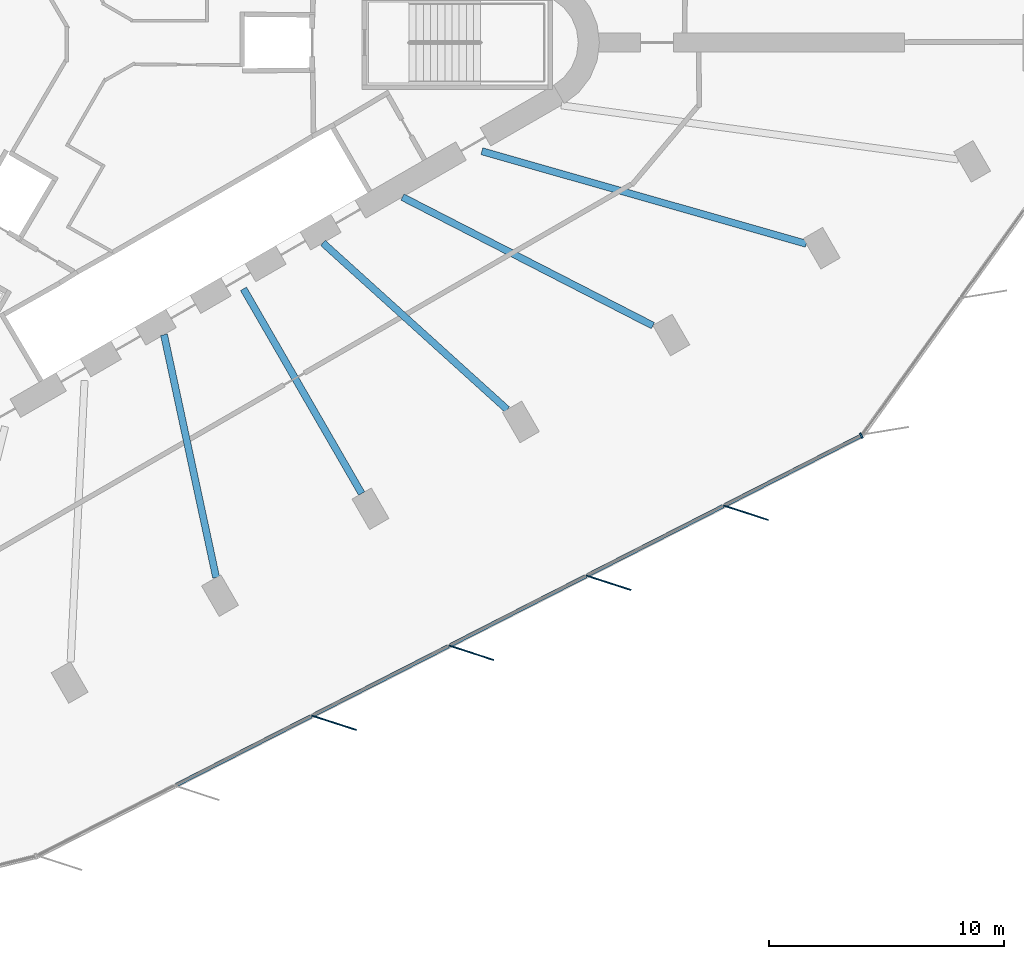
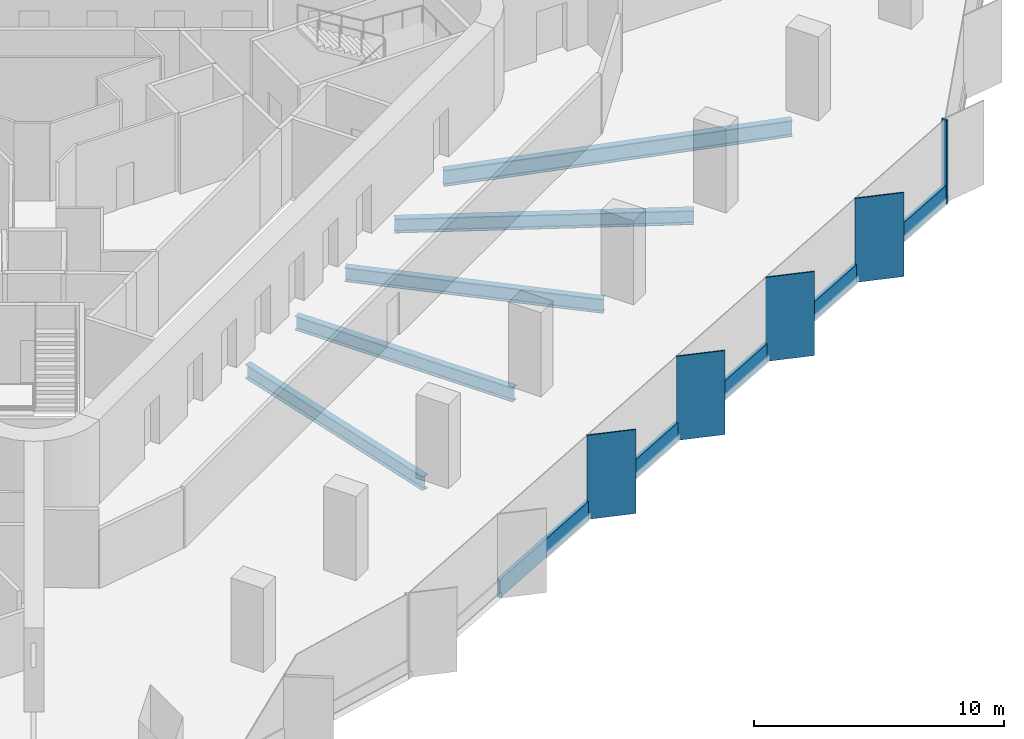
# One storey, part 3 of 14: 10 members, 5 beams, 1 element without a shape of its own.
"""IFC4 building model written with IfcOpenShell, lengths in metres."""

from ifc_helpers import new_model, si_unit, direction, frame, origin, origin_2d, place, context, subcontext, project, spatial, rectangle, i_section, extrude, material, material_profile, profile_set, type_object, element, aggregate, save


model = new_model("IFC4")

# Units and contexts
model_context = context("Model", 3, precision=1e-05, world=origin(), true_north=direction((0.0, 1.0)))
body_context = subcontext(model_context, "Body", "Model", "MODEL_VIEW")
ifc_project = project(units=[si_unit("LENGTHUNIT", "METRE"), si_unit("AREAUNIT", "SQUARE_METRE"), si_unit("VOLUMEUNIT", "CUBIC_METRE"), si_unit("PLANEANGLEUNIT", "RADIAN"), si_unit("MASSUNIT", "GRAM", prefix="KILO")], contexts=[model_context])

# Site, building, storey
site_placement = place(None, origin())
site = spatial("IfcSite", under=ifc_project, at=site_placement, CompositionType="ELEMENT")
building_placement = place(site_placement, origin())
building = spatial("IfcBuilding", under=site, at=building_placement, Name="Tanit Gate Tower", CompositionType="ELEMENT")
storey_placement = place(building_placement, frame((0.0, 0.0, 115.199951171875)))
storey = spatial("IfcBuildingStorey", under=building, at=storey_placement, Name="L24", CompositionType="ELEMENT", Elevation=115.199951171875)

# Curtain wall, members
ifc_material_1 = material(Name="Aluminium bronze anodised and glass", Category="aluminium")
curtain_wall_type = type_object("IfcCurtainWallType", Name="Curtain wall typical low", PredefinedType="NOTDEFINED", material=ifc_material_1)
curtain_wall_placement = place(storey_placement, origin())
curtain_wall = element("IfcCurtainWall", 1, at=curtain_wall_placement, inside=storey, type_object=curtain_wall_type, Name="Curtain wall L24 SE2", PredefinedType="NOTDEFINED")
ifc_material_2 = material(Name="Aluminium bronze anodised", Category="aluminium")
ifc_material_profile_1 = material_profile(ifc_material_2, rectangle(XDim=2.0, YDim=0.055908203125, at=origin_2d()), Name="56x2000 bronze fin mullion")
ifc_profile_set_1 = profile_set([ifc_material_profile_1], Name="Aluminium bronze anodised")
member_type_1 = type_object("IfcMemberType", Name="FIN MULLION 56x2000 bronze", PredefinedType="MULLION", material=ifc_profile_set_1)
member_1_placement = place(storey_placement, frame((9.904052734375, -28.94580078125, -0.300048828125), z_axis=(0.0, 0.0, 1.0), x_axis=(-0.95115950718, 0.308699841109, 0.0)))
member_1 = element("IfcMember", 2, at=member_1_placement, type_object=member_type_1, Name="Fin mullion L24 SE2.3", PredefinedType="MULLION", context=body_context, shape_type="SweptSolid", body=[
    extrude(rectangle(XDim=2.0, YDim=0.055908203125, at=origin_2d()), origin(), (0.0, 0.0, 1.0), 4.10009765625),
])
member_2_placement = place(storey_placement, frame((15.745849609375, -25.966796875, -0.300048828125), z_axis=(0.0, 0.0, 1.0), x_axis=(-0.95115950718, 0.308699841109, 0.0)))
member_2 = element("IfcMember", 3, at=member_2_placement, type_object=member_type_1, Name="Fin mullion L24 SE2.4", PredefinedType="MULLION", context=body_context, shape_type="SweptSolid", body=[
    extrude(rectangle(XDim=2.0, YDim=0.055908203125, at=origin_2d()), origin(), (0.0, 0.0, 1.0), 4.10009765625),
])
member_3_placement = place(storey_placement, frame((21.587890625, -22.98779296875, -0.300048828125), z_axis=(0.0, 0.0, 1.0), x_axis=(-0.95115950718, 0.308699841109, 0.0)))
member_3 = element("IfcMember", 4, at=member_3_placement, type_object=member_type_1, Name="Fin mullion L24 SE2.5", PredefinedType="MULLION", context=body_context, shape_type="SweptSolid", body=[
    extrude(rectangle(XDim=2.0, YDim=0.055908203125, at=origin_2d()), origin(), (0.0, 0.0, 1.0), 4.10009765625),
])
member_4_placement = place(storey_placement, frame((27.429931640625, -20.008544921875, -0.300048828125), z_axis=(0.0, 0.0, 1.0), x_axis=(-0.95115950718, 0.308699841109, 0.0)))
member_4 = element("IfcMember", 5, at=member_4_placement, type_object=member_type_1, Name="Fin mullion L24 SE2.6", PredefinedType="MULLION", context=body_context, shape_type="SweptSolid", body=[
    extrude(rectangle(XDim=2.0, YDim=0.055908203125, at=origin_2d()), origin(), (0.0, 0.0, 1.0), 4.10009765625),
])
ifc_material_3 = material(Name="Aluminium bronze anodised", Category="aluminium")
ifc_material_profile_2 = material_profile(ifc_material_3, rectangle(XDim=0.239990234375, YDim=0.080078125, at=origin_2d()), Name="80x240 bronze mullion")
ifc_profile_set_2 = profile_set([ifc_material_profile_2], Name="Aluminium bronze anodised")
member_type_2 = type_object("IfcMemberType", Name="Mullion 80x240 typical low", PredefinedType="MULLION", material=ifc_profile_set_2)
member_5_placement = place(storey_placement, frame((32.34228515625, -16.727783203125, -0.300048828125), z_axis=(0.0, 0.0, 1.0), x_axis=(-0.454287586518, 0.890855088516, 0.0)))
member_5 = element("IfcMember", 6, at=member_5_placement, type_object=member_type_2, Name="Mullion L24 SE2.7", PredefinedType="MULLION", context=body_context, shape_type="SweptSolid", body=[
    extrude(rectangle(XDim=0.239990234375, YDim=0.080078125, at=origin_2d()), origin(), (0.0, 0.0, 1.0), 4.10009765625),
])

# Beams
ifc_material_4 = material(Name="Steel S355", Category="steel")
ifc_material_profile_3 = material_profile(ifc_material_4, i_section(OverallWidth=0.300048828125, OverallDepth=0.68994140625, WebThickness=0.014404296875, FlangeThickness=0.027099609375, FilletRadius=0.027099609375, at=origin_2d()), Name="HEA 700")
ifc_profile_set_3 = profile_set([ifc_material_profile_3], Name="Steel S355")
beam_type_1 = type_object("IfcBeamType", Name="RADIAL GIRDER HEA 700 S355", PredefinedType="BEAM", material=ifc_profile_set_3)
beam_1_placement = place(storey_placement, frame((4.887939453125, -22.764892578125, -0.64501953125), z_axis=(-0.209940874713, 0.977714083526, 0.0), x_axis=(-0.977714083526, -0.209940874713, 0.0)))
element("IfcBeam", 7, at=beam_1_placement, inside=storey, type_object=beam_type_1, Name="RADIAL GIRDER", PredefinedType="BEAM", context=body_context, shape_type="SweptSolid", body=[
    extrude(i_section(OverallWidth=0.300048828125, OverallDepth=0.68994140625, WebThickness=0.014404296875, FlangeThickness=0.027099609375, FilletRadius=0.027099609375, at=origin_2d()), origin(), (0.0, 0.0, 1.0), 10.5673828125),
])
beam_2_placement = place(storey_placement, frame((11.07958984375, -19.190185546875, -0.64501953125), z_axis=(-0.500011042411, 0.866019028352, 0.0), x_axis=(-0.866019028352, -0.500011042411, 0.0)))
element("IfcBeam", 8, at=beam_2_placement, inside=storey, type_object=beam_type_1, Name="RADIAL GIRDER", PredefinedType="BEAM", context=body_context, shape_type="SweptSolid", body=[
    extrude(i_section(OverallWidth=0.300048828125, OverallDepth=0.68994140625, WebThickness=0.014404296875, FlangeThickness=0.027099609375, FilletRadius=0.027099609375, at=origin_2d()), origin(), (0.0, 0.0, 1.0), 10.056884765625),
])
beam_3_placement = place(storey_placement, frame((17.27099609375, -15.615478515625, -0.64501953125), z_axis=(-0.741757410194, 0.670668281957, 0.0), x_axis=(-0.670668281957, -0.741757410194, 0.0)))
element("IfcBeam", 9, at=beam_3_placement, inside=storey, type_object=beam_type_1, Name="RADIAL GIRDER", PredefinedType="BEAM", context=body_context, shape_type="SweptSolid", body=[
    extrude(i_section(OverallWidth=0.300048828125, OverallDepth=0.68994140625, WebThickness=0.014404296875, FlangeThickness=0.027099609375, FilletRadius=0.027099609375, at=origin_2d()), origin(), (0.0, 0.0, 1.0), 10.5673828125),
])
beam_4_placement = place(storey_placement, frame((23.4775390625, -12.04833984375, -0.64501953125), z_axis=(-0.889684882484, 0.456575086792, 0.0), x_axis=(-0.456575086792, -0.889684882484, 0.0)))
element("IfcBeam", 10, at=beam_4_placement, inside=storey, type_object=beam_type_1, Name="RADIAL GIRDER", PredefinedType="BEAM", context=body_context, shape_type="SweptSolid", body=[
    extrude(i_section(OverallWidth=0.300048828125, OverallDepth=0.68994140625, WebThickness=0.014404296875, FlangeThickness=0.027099609375, FilletRadius=0.027099609375, at=origin_2d()), origin(), (0.0, 0.0, 1.0), 11.98583984375),
])
ifc_material_5 = material(Name="Steel S355", Category="steel")
ifc_material_profile_4 = material_profile(ifc_material_5, i_section(OverallWidth=0.300048828125, OverallDepth=0.7900390625, WebThickness=0.014892578125, FlangeThickness=0.028076171875, FilletRadius=0.030029296875, at=origin_2d()), Name="HEA 800")
ifc_profile_set_4 = profile_set([ifc_material_profile_4], Name="Steel S355")
beam_type_2 = type_object("IfcBeamType", Name="RADIAL GIRDER HEA 800 S355", PredefinedType="BEAM", material=ifc_profile_set_4)
beam_5_placement = place(storey_placement, frame((30.00146484375, -8.565185546875, -0.695068359375), z_axis=(-0.96158167718, 0.274518994083, 0.0), x_axis=(-0.274518994083, -0.96158167718, 0.0)))
element("IfcBeam", 11, at=beam_5_placement, inside=storey, type_object=beam_type_2, Name="RADIAL GIRDER", PredefinedType="BEAM", context=body_context, shape_type="SweptSolid", body=[
    extrude(i_section(OverallWidth=0.300048828125, OverallDepth=0.7900390625, WebThickness=0.014892578125, FlangeThickness=0.028076171875, FilletRadius=0.030029296875, at=origin_2d()), origin(), (0.0, 0.0, 1.0), 14.357421875),
])

# Member
ifc_material_6 = material(Name="Aluminium bronze anodised", Category="aluminium")
ifc_material_profile_5 = material_profile(ifc_material_6, rectangle(XDim=0.159912109375, YDim=0.89990234375, at=origin_2d()), Name="160x900 bronze transom")
ifc_profile_set_5 = profile_set([ifc_material_profile_5], Name="Aluminium bronze anodised")
member_type_3 = type_object("IfcMemberType", Name="Transom 160x900 typical low", PredefinedType="USERDEFINED", material=ifc_profile_set_5)
member_6_placement = place(storey_placement, frame((3.16796875, -31.60498046875, 0.150146484375), z_axis=(0.890863979718, 0.454270150507, 0.0), x_axis=(-0.454270150507, 0.890863979718, 0.0)))
member_6 = element("IfcMember", 12, at=member_6_placement, type_object=member_type_3, Name="Transom L24 SE2.2", ObjectType="TRANSOM", PredefinedType="USERDEFINED", context=body_context, shape_type="SweptSolid", body=[
    extrude(rectangle(XDim=0.159912109375, YDim=0.89990234375, at=origin_2d()), origin(), (0.0, 0.0, 1.0), 6.477783203125),
])

member_7_placement = place(storey_placement, frame((9.010009765625, -28.6259765625, 0.150146484375), z_axis=(0.89084872685, 0.45430006149, 0.0), x_axis=(-0.45430006149, 0.89084872685, 0.0)))
member_7 = element("IfcMember", 13, at=member_7_placement, type_object=member_type_3, Name="Transom L24 SE2.3", ObjectType="TRANSOM", PredefinedType="USERDEFINED", context=body_context, shape_type="SweptSolid", body=[
    extrude(rectangle(XDim=0.159912109375, YDim=0.89990234375, at=origin_2d()), origin(), (0.0, 0.0, 1.0), 6.477783203125),
])

member_8_placement = place(storey_placement, frame((14.85205078125, -25.64697265625, 0.150146484375), z_axis=(0.890840947934, 0.454315315045, 0.0), x_axis=(-0.454315315045, 0.890840947934, 0.0)))
member_8 = element("IfcMember", 14, at=member_8_placement, type_object=member_type_3, Name="Transom L24 SE2.4", ObjectType="TRANSOM", PredefinedType="USERDEFINED", context=body_context, shape_type="SweptSolid", body=[
    extrude(rectangle(XDim=0.159912109375, YDim=0.89990234375, at=origin_2d()), origin(), (0.0, 0.0, 1.0), 6.4775390625),
])

member_9_placement = place(storey_placement, frame((20.69384765625, -22.667724609375, 0.150146484375), z_axis=(0.890863979718, 0.454270150507, 0.0), x_axis=(-0.454270150507, 0.890863979718, 0.0)))
member_9 = element("IfcMember", 15, at=member_9_placement, type_object=member_type_3, Name="Transom L24 SE2.5", ObjectType="TRANSOM", PredefinedType="USERDEFINED", context=body_context, shape_type="SweptSolid", body=[
    extrude(rectangle(XDim=0.159912109375, YDim=0.89990234375, at=origin_2d()), origin(), (0.0, 0.0, 1.0), 6.477783203125),
])

member_10_placement = place(storey_placement, frame((26.535888671875, -19.688720703125, 0.150146484375), z_axis=(0.89084872685, 0.45430006149, 0.0), x_axis=(-0.45430006149, 0.89084872685, 0.0)))
member_10 = element("IfcMember", 16, at=member_10_placement, type_object=member_type_3, Name="Transom L24 SE2.6", ObjectType="TRANSOM", PredefinedType="USERDEFINED", context=body_context, shape_type="SweptSolid", body=[
    extrude(rectangle(XDim=0.159912109375, YDim=0.89990234375, at=origin_2d()), origin(), (0.0, 0.0, 1.0), 6.477783203125),
])

aggregate(curtain_wall, [member_1, member_2, member_3, member_4, member_5, member_6, member_7, member_8, member_9, member_10])

save(model, "model.ifc")
